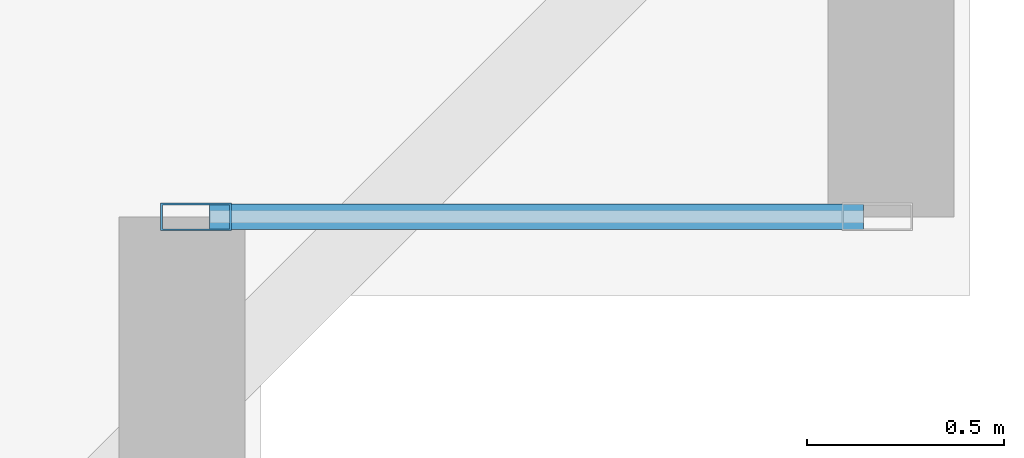
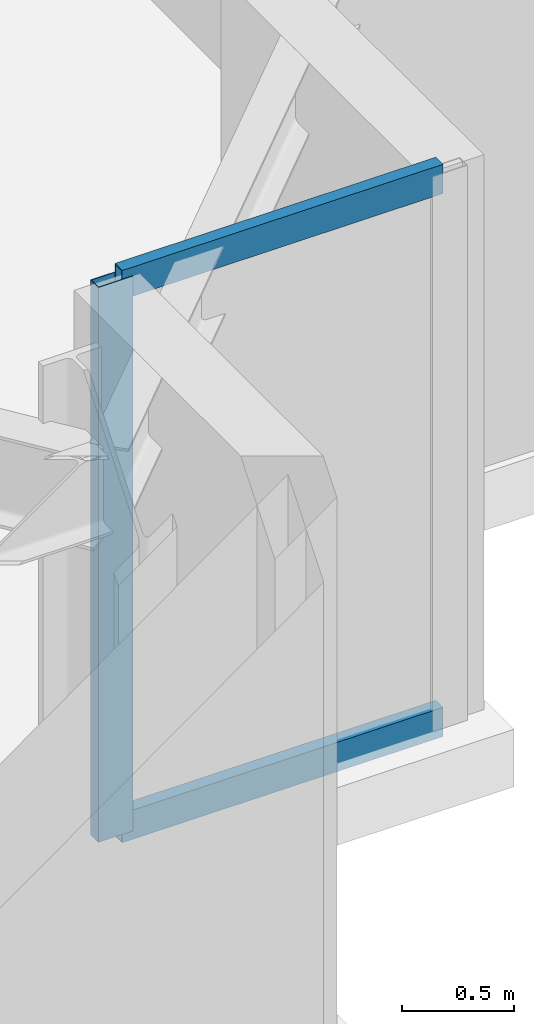
# One storey, part 6 of 21: 3 members, 1 element without a shape of its own.
"""IFC4 building model written with IfcOpenShell, lengths in metres."""

from ifc_helpers import new_model, si_unit, direction, frame, origin, origin_2d, place, context, subcontext, project, spatial, hollow_rectangle, extrude, material, layer, layer_set, material_profile, profile_set, type_object, element, aggregate, save


model = new_model("IFC4")

# Units and contexts
model_context = context("Model", 3, precision=1e-05, world=origin(), true_north=direction((0.0, 1.0)))
body_context = subcontext(model_context, "Body", "Model", "MODEL_VIEW")
ifc_project = project(units=[si_unit("LENGTHUNIT", "METRE"), si_unit("AREAUNIT", "SQUARE_METRE"), si_unit("VOLUMEUNIT", "CUBIC_METRE"), si_unit("PLANEANGLEUNIT", "RADIAN"), si_unit("MASSUNIT", "GRAM", prefix="KILO")], contexts=[model_context])

# Site, building, storey
site_placement = place(None, origin())
site = spatial("IfcSite", under=ifc_project, at=site_placement, CompositionType="ELEMENT")
building_placement = place(site_placement, origin())
building = spatial("IfcBuilding", under=site, at=building_placement, Name="Qobustan Lattice House", CompositionType="ELEMENT")
storey_placement = place(building_placement, frame((0.0, 0.0, 57.14990234375)))
storey = spatial("IfcBuildingStorey", under=building, at=storey_placement, Name="L15", CompositionType="ELEMENT", Elevation=57.14990234375)

# Curtain wall, members
ifc_material_1 = material(Name="Anodised aluminium and low-E glazing", Category="aluminium")
ifc_layer = layer(ifc_material_1, 0.219970703125)
ifc_layer_set = layer_set([ifc_layer], Name="Anodised aluminium and low-E glazing")
curtain_wall_type = type_object("IfcCurtainWallType", Name="CW-FAC-01", PredefinedType="USERDEFINED", material=ifc_layer_set)
curtain_wall_placement = place(storey_placement, origin())
curtain_wall = element("IfcCurtainWall", 1, at=curtain_wall_placement, inside=storey, type_object=curtain_wall_type, Name="L15 serrated corner faceted glazing 18", ObjectType="CURTAIN WALL", PredefinedType="USERDEFINED")
ifc_material_2 = material(Name="Anodised aluminium EN AW-6063 T6", Category="aluminium")
ifc_material_profile_1 = material_profile(ifc_material_2, hollow_rectangle(XDim=0.070068359375, YDim=0.179931640625, WallThickness=0.00439453125, at=origin_2d()), Name="CWM-180x70")
ifc_profile_set_1 = profile_set([ifc_material_profile_1], Name="Anodised aluminium EN AW-6063 T6")
member_type_1 = type_object("IfcMemberType", Name="CWM-STD-180", PredefinedType="MULLION", material=ifc_profile_set_1)
member_1_placement = place(storey_placement, frame((29.235107421875, -17.60009765625, 0.0), z_axis=(0.0, 0.0, 1.0), x_axis=(0.0, -1.0, 0.0)))
member_1 = element("IfcMember", 2, at=member_1_placement, type_object=member_type_1, Name="CW-F1 mullion 2", PredefinedType="MULLION", context=body_context, shape_type="SweptSolid", body=[
    extrude(hollow_rectangle(XDim=0.070068359375, YDim=0.179931640625, WallThickness=0.00439453125, at=origin_2d()), origin(), (0.0, 0.0, 1.0), 3.03515625),
])
ifc_material_3 = material(Name="Anodised aluminium EN AW-6063 T6", Category="aluminium")
ifc_material_profile_2 = material_profile(ifc_material_3, hollow_rectangle(XDim=0.06494140625, YDim=0.159912109375, WallThickness=0.00390625, at=origin_2d()), Name="CWT-160x65")
ifc_profile_set_2 = profile_set([ifc_material_profile_2], Name="Anodised aluminium EN AW-6063 T6")
member_type_2 = type_object("IfcMemberType", Name="CWT-HOR-160", PredefinedType="USERDEFINED", material=ifc_profile_set_2)
member_2_placement = place(storey_placement, frame((30.929931640625, -17.60009765625, 0.03271484375), z_axis=(-1.0, 0.0, 0.0), x_axis=(0.0, -1.0, 0.0)))
member_2 = element("IfcMember", 3, at=member_2_placement, type_object=member_type_2, Name="CW-F1 transom 1.1", ObjectType="TRANSOM", PredefinedType="USERDEFINED", context=body_context, shape_type="SweptSolid", body=[
    extrude(hollow_rectangle(XDim=0.06494140625, YDim=0.159912109375, WallThickness=0.00390625, at=origin_2d()), origin(), (0.0, 0.0, 1.0), 1.659912109375),
])
member_3_placement = place(storey_placement, frame((30.929931640625, -17.60009765625, 3.002685546875), z_axis=(-1.0, 0.0, 0.0), x_axis=(0.0, -1.0, 0.0)))
member_3 = element("IfcMember", 4, at=member_3_placement, type_object=member_type_2, Name="CW-F1 transom 1.2", ObjectType="TRANSOM", PredefinedType="USERDEFINED", context=body_context, shape_type="SweptSolid", body=[
    extrude(hollow_rectangle(XDim=0.06494140625, YDim=0.159912109375, WallThickness=0.00390625, at=origin_2d()), origin(), (0.0, 0.0, 1.0), 1.659912109375),
])
aggregate(curtain_wall, [member_1, member_2, member_3])

save(model, "model.ifc")
